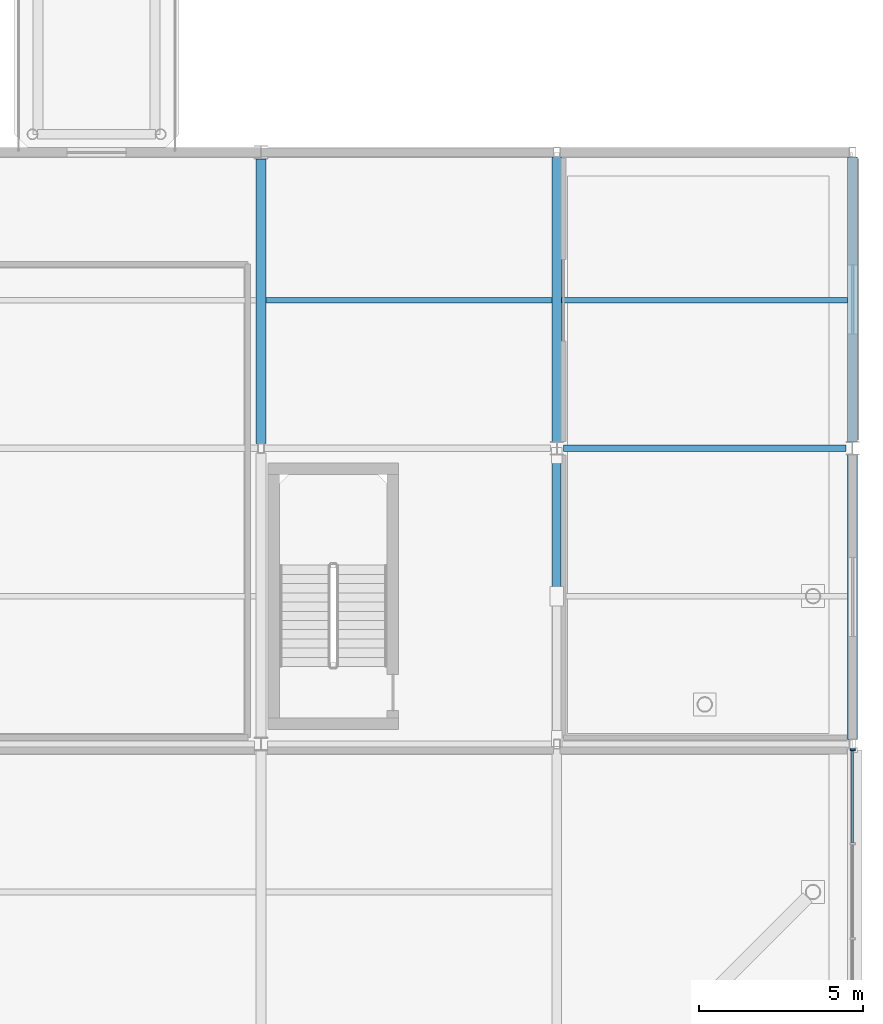
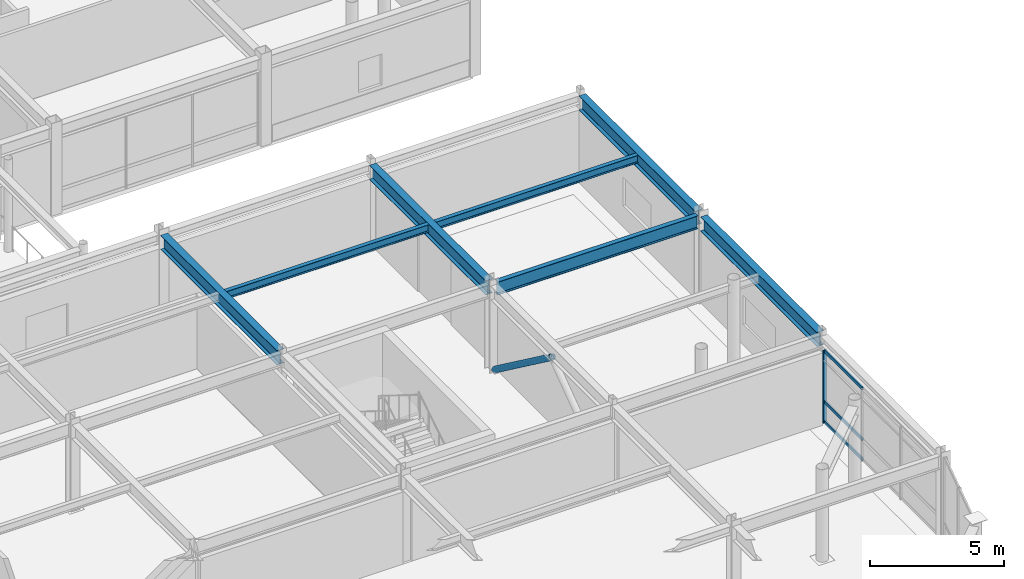
# One storey, part 52 of 105: 7 beams, 5 members, 1 element without a shape of its own.
"""IFC4 building model written with IfcOpenShell, lengths in metres."""

from ifc_helpers import new_model, si_unit, direction, frame, origin, origin_2d, place, context, subcontext, project, spatial, rectangle, hollow_circle, i_section, extrude, material, material_profile, profile_set, type_object, element, aggregate, save


model = new_model("IFC4")

# Units and contexts
model_context = context("Model", 3, precision=1e-05, world=origin(), true_north=direction((0.0, 1.0)))
body_context = subcontext(model_context, "Body", "Model", "MODEL_VIEW")
ifc_project = project(units=[si_unit("LENGTHUNIT", "METRE"), si_unit("AREAUNIT", "SQUARE_METRE"), si_unit("VOLUMEUNIT", "CUBIC_METRE"), si_unit("PLANEANGLEUNIT", "RADIAN"), si_unit("MASSUNIT", "GRAM", prefix="KILO")], contexts=[model_context])

# Site, building, storey
site_placement = place(None, origin())
site = spatial("IfcSite", under=ifc_project, at=site_placement, CompositionType="ELEMENT")
building_placement = place(site_placement, origin())
building = spatial("IfcBuilding", under=site, at=building_placement, Name="Suzunagisa Mobility Hub", CompositionType="ELEMENT")
storey_placement = place(building_placement, frame((0.0, 0.0, 5.10009765625)))
storey = spatial("IfcBuildingStorey", under=building, at=storey_placement, Name="L01", CompositionType="ELEMENT", Elevation=5.10009765625)

# Curtain wall, members
ifc_material_1 = material(Name="Thermally Broken Anodized Aluminum and Low-E Glazing", Category="aluminium")
curtain_wall_type = type_object("IfcCurtainWallType", Name="Unitised Curtain Wall CW-12 8750x3300", PredefinedType="USERDEFINED", material=ifc_material_1)
curtain_wall_placement = place(storey_placement, origin())
curtain_wall = element("IfcCurtainWall", 1, at=curtain_wall_placement, inside=storey, type_object=curtain_wall_type, Name="L01 Unitised Curtain Wall CW-153", ObjectType="UNITISED CURTAIN WALL", PredefinedType="USERDEFINED")
ifc_material_2 = material(Name="Anodized Aluminum 6063-T6", Category="aluminium")
ifc_material_profile_1 = material_profile(ifc_material_2, rectangle(XDim=0.06494140625, YDim=0.139892578125, at=origin_2d()), Name="TRAN-65x140")
ifc_profile_set_1 = profile_set([ifc_material_profile_1], Name="Anodized Aluminum 6063-T6")
member_type_1 = type_object("IfcMemberType", Name="Curtain Wall Framing CM-01 TRAN-65x140", PredefinedType="USERDEFINED", material=ifc_profile_set_1)
member_1_placement = place(storey_placement, frame((180.0, 14.99462890625, 0.032470703125), z_axis=(0.0, 1.0, 0.0), x_axis=(-1.0, 0.0, 0.0)))
member_1 = element("IfcMember", 2, at=member_1_placement, type_object=member_type_1, Name="Curtain Wall Transom 153-T3.1", ObjectType="TRANSOM", PredefinedType="USERDEFINED", context=body_context, shape_type="SweptSolid", body=[
    extrude(rectangle(XDim=0.06494140625, YDim=0.139892578125, at=origin_2d()), origin(), (0.0, 0.0, 1.0), 2.79736328125),
])
member_2_placement = place(storey_placement, frame((180.0, 14.99462890625, 0.949951171875), z_axis=(0.0, 1.0, 0.0), x_axis=(-1.0, 0.0, 0.0)))
member_2 = element("IfcMember", 3, at=member_2_placement, type_object=member_type_1, Name="Curtain Wall Transom 153-T3.2", ObjectType="TRANSOM", PredefinedType="USERDEFINED", context=body_context, shape_type="SweptSolid", body=[
    extrude(rectangle(XDim=0.06494140625, YDim=0.139892578125, at=origin_2d()), origin(), (0.0, 0.0, 1.0), 2.79736328125),
])
member_3_placement = place(storey_placement, frame((180.0, 14.99462890625, 3.25732421875), z_axis=(0.0, 1.0, 0.0), x_axis=(-1.0, 0.0, 0.0)))
member_3 = element("IfcMember", 4, at=member_3_placement, type_object=member_type_1, Name="Curtain Wall Transom 153-T3.3", ObjectType="TRANSOM", PredefinedType="USERDEFINED", context=body_context, shape_type="SweptSolid", body=[
    extrude(rectangle(XDim=0.06494140625, YDim=0.139892578125, at=origin_2d()), origin(), (0.0, 0.0, 1.0), 2.79736328125),
])
ifc_material_profile_2 = material_profile(ifc_material_2, rectangle(XDim=0.06005859375, YDim=0.14990234375, at=origin_2d()), Name="MULL-60x150")
ifc_profile_set_2 = profile_set([ifc_material_profile_2], Name="Anodized Aluminum 6063-T6")
member_type_2 = type_object("IfcMemberType", Name="Curtain Wall Framing CM-03 MULL-60x150", PredefinedType="MULLION", material=ifc_profile_set_2)
member_4_placement = place(storey_placement, frame((180.0, 17.820068359375, 0.0), z_axis=(0.0, 0.0, 1.0), x_axis=(0.0, 1.0, 0.0)))
member_4 = element("IfcMember", 5, at=member_4_placement, type_object=member_type_2, Name="Curtain Wall Mullion 153-M4", PredefinedType="MULLION", context=body_context, shape_type="SweptSolid", body=[
    extrude(rectangle(XDim=0.06005859375, YDim=0.14990234375, at=origin_2d()), origin(), (0.0, 0.0, 1.0), 3.289794921875),
])
aggregate(curtain_wall, [member_4, member_1, member_2, member_3])

# Member
ifc_material_3 = material(Name="Steel SN490B", Category="steel")
ifc_material_profile_3 = material_profile(ifc_material_3, hollow_circle(Radius=0.1337890625, WallThickness=0.00927734375, at=origin_2d()), Name="CHS-267.4x9.3")
ifc_profile_set_3 = profile_set([ifc_material_profile_3], Name="Steel SN490B")
member_type_3 = type_object("IfcMemberType", Name="Roof Truss and Brace Member MB-06 CHS-267.4x9.3", PredefinedType="BRACE", material=ifc_profile_set_3)
member_5_placement = place(storey_placement, frame((171.0, 26.780029296875, 0.119873046875), z_axis=(0.0, -0.803950209306, 0.594696612531), x_axis=(1.0, 0.0, 0.0)))
element("IfcMember", 6, at=member_5_placement, inside=storey, type_object=member_type_3, Name="L01 Concentric Lateral Brace BR-56", PredefinedType="BRACE", context=body_context, shape_type="SweptSolid", body=[
    extrude(hollow_circle(Radius=0.1337890625, WallThickness=0.00927734375, at=origin_2d()), origin(), (0.0, 0.0, 1.0), 5.32373046875),
])

# Beams
ifc_material_4 = material(Name="Steel SN400B", Category="steel")
ifc_material_profile_4 = material_profile(ifc_material_4, i_section(OverallWidth=0.175048828125, OverallDepth=0.35009765625, WebThickness=0.007080078125, FlangeThickness=0.010986328125, FilletRadius=0.008056640625, at=origin_2d()), Name="H-350x175x7x11")
ifc_profile_set_4 = profile_set([ifc_material_profile_4], Name="Steel SN400B")
beam_type_1 = type_object("IfcBeamType", Name="Steel Beam BM-03 H-350x175x7x11", PredefinedType="JOIST", material=ifc_profile_set_4)
for number, where, z_axis, x_axis, name in (
    (7, (162.14990234375, 31.5, 3.77490234375), (1.0, 0.0, 0.0), (0.0, 1.0, 0.0), "L01 Composite Floor Joist J-1516"),
    (8, (171.14990234375, 31.5, 3.77490234375), (1.0, 0.0, 0.0), (0.0, 1.0, 0.0), "L01 Composite Floor Joist J-1518"),
):
    element("IfcBeam", number, at=place(storey_placement, frame(where, z_axis=z_axis, x_axis=x_axis)), inside=storey, type_object=beam_type_1, Name=name, PredefinedType="JOIST", context=body_context, shape_type="SweptSolid", body=[
        extrude(i_section(OverallWidth=0.175048828125, OverallDepth=0.35009765625, WebThickness=0.007080078125, FlangeThickness=0.010986328125, FilletRadius=0.008056640625, at=origin_2d()), origin(), (0.0, 0.0, 1.0), 8.7001953125),
    ])
ifc_material_profile_5 = material_profile(ifc_material_3, i_section(OverallWidth=0.199951171875, OverallDepth=0.60009765625, WebThickness=0.010986328125, FlangeThickness=0.01708984375, FilletRadius=0.012939453125, at=origin_2d()), Name="H-600x200x11x17")
ifc_profile_set_5 = profile_set([ifc_material_profile_5], Name="Steel SN490B")
beam_type_2 = type_object("IfcBeamType", Name="Steel Beam BM-07 H-600x200x11x17", PredefinedType="BEAM", material=ifc_profile_set_5)
beam_placement = place(storey_placement, frame((171.196044921875, 27.0, 3.64990234375), z_axis=(1.0, 0.0, 0.0), x_axis=(0.0, 1.0, 0.0)))
element("IfcBeam", 9, at=beam_placement, inside=storey, type_object=beam_type_2, Name="L01 Primary Girder GX-1483", PredefinedType="BEAM", context=body_context, shape_type="SweptSolid", body=[
    extrude(i_section(OverallWidth=0.199951171875, OverallDepth=0.60009765625, WebThickness=0.010986328125, FlangeThickness=0.01708984375, FilletRadius=0.012939453125, at=origin_2d()), origin(), (0.0, 0.0, 1.0), 8.60791015625),
])
ifc_material_profile_6 = material_profile(ifc_material_3, i_section(OverallWidth=0.300048828125, OverallDepth=0.64990234375, WebThickness=0.012939453125, FlangeThickness=0.02197265625, FilletRadius=0.01611328125, at=origin_2d()), Name="H-650x300x13x22")
ifc_profile_set_6 = profile_set([ifc_material_profile_6], Name="Steel SN490B")
beam_type_3 = type_object("IfcBeamType", Name="Steel Beam BM-10 H-650x300x13x22", PredefinedType="BEAM", material=ifc_profile_set_6)
for number, where, z_axis, x_axis, name in (
    (10, (162.0, 27.14599609375, 3.625), (0.0, 1.0, 0.0), (-1.0, 0.0, 0.0), "L01 Primary Girder GY-1500"),
    (11, (171.0, 27.196044921875, 3.625), (0.0, 1.0, 0.0), (-1.0, 0.0, 0.0), "L01 Primary Girder GY-1503"),
    (12, (180.0, 18.14599609375, 3.614990234375), (0.0, 1.0, 0.0), (-1.0, 0.0, 0.0), "L01 Primary Girder GY-1504"),
    (13, (180.0, 27.196044921875, 3.625), (0.0, 1.0, 0.0), (-1.0, 0.0, 0.0), "L01 Primary Girder GY-1505"),
):
    element("IfcBeam", number, at=place(storey_placement, frame(where, z_axis=z_axis, x_axis=x_axis)), inside=storey, type_object=beam_type_3, Name=name, PredefinedType="BEAM", context=body_context, shape_type="SweptSolid", body=[
        extrude(i_section(OverallWidth=0.300048828125, OverallDepth=0.64990234375, WebThickness=0.012939453125, FlangeThickness=0.02197265625, FilletRadius=0.01611328125, at=origin_2d()), origin(), (0.0, 0.0, 1.0), 8.657958984375),
    ])

save(model, "model.ifc")
